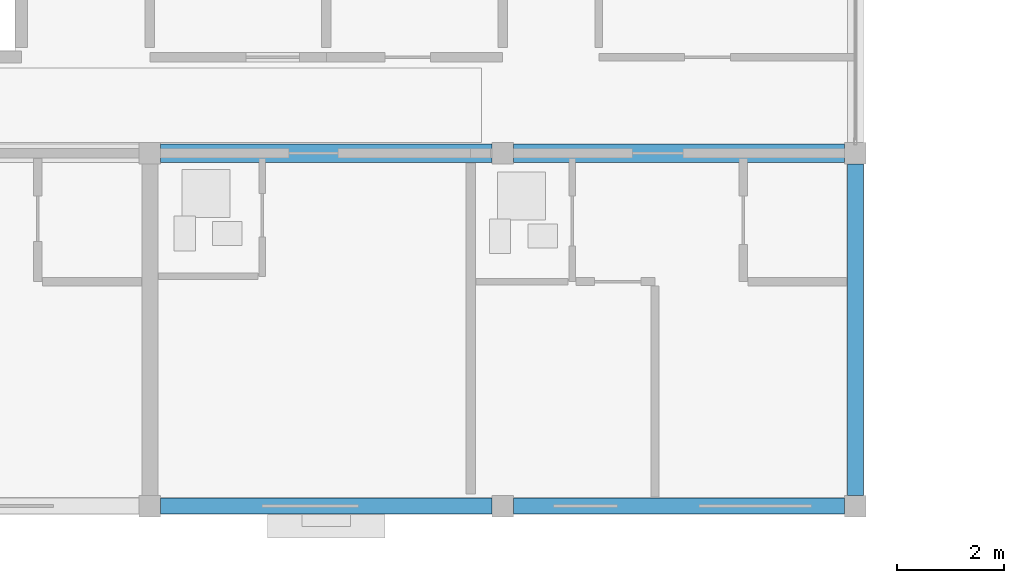
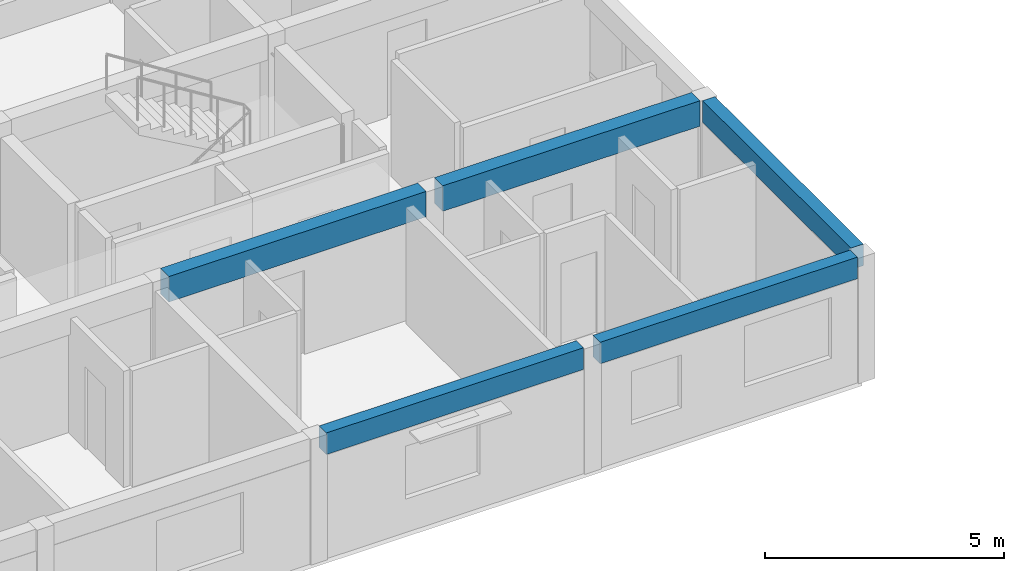
# One storey, part 7 of 53: 5 beams.
"""IFC4 building model written with IfcOpenShell, lengths in metres."""

from ifc_helpers import new_model, si_unit, direction, frame, origin, origin_2d, place, context, subcontext, project, spatial, rectangle, extrude, material, material_profile, profile_set, type_object, element, save


model = new_model("IFC4")

# Units and contexts
model_context = context("Model", 3, precision=1e-05, world=origin(), true_north=direction((0.0, 1.0)))
body_context = subcontext(model_context, "Body", "Model", "MODEL_VIEW")
ifc_project = project(units=[si_unit("LENGTHUNIT", "METRE"), si_unit("AREAUNIT", "SQUARE_METRE"), si_unit("VOLUMEUNIT", "CUBIC_METRE"), si_unit("PLANEANGLEUNIT", "RADIAN"), si_unit("MASSUNIT", "GRAM", prefix="KILO")], contexts=[model_context])

# Site, building, storey
site_placement = place(None, origin())
site = spatial("IfcSite", under=ifc_project, at=site_placement, CompositionType="ELEMENT")
building_placement = place(site_placement, origin())
building = spatial("IfcBuilding", under=site, at=building_placement, Name="Kernevlak Ridge Housing Community", CompositionType="ELEMENT")
storey_placement = place(building_placement, frame((0.0, 0.0, 18.0)))
storey = spatial("IfcBuildingStorey", under=building, at=storey_placement, Name="L05", CompositionType="ELEMENT", Elevation=18.0)

# Beams
ifc_material = material(Name="Concrete C35/45", Category="concrete")
ifc_material_profile_1 = material_profile(ifc_material, rectangle(XDim=0.35009765625, YDim=0.64990234375, at=origin_2d()), Name="RC 350x650")
ifc_profile_set_1 = profile_set([ifc_material_profile_1], Name="Concrete C35/45")
beam_type_1 = type_object("IfcBeamType", Name="B-02", PredefinedType="BEAM", material=ifc_profile_set_1)
for number, where, z_axis, x_axis, name in (
    (1, (29.0, 22.199951171875, 2.875), (1.0, 0.0, 0.0), (0.0, 1.0, 0.0), "Beam B-02 L05 1438"),
    (2, (35.60009765625, 22.199951171875, 2.875), (1.0, 0.0, 0.0), (0.0, 1.0, 0.0), "Beam B-02 L05 1439"),
):
    element("IfcBeam", number, at=place(storey_placement, frame(where, z_axis=z_axis, x_axis=x_axis)), inside=storey, type_object=beam_type_1, Name=name, PredefinedType="BEAM", context=body_context, shape_type="SweptSolid", body=[
        extrude(rectangle(XDim=0.35009765625, YDim=0.64990234375, at=origin_2d()), origin(), (0.0, 0.0, 1.0), 6.199951171875),
    ])
ifc_material_profile_2 = material_profile(ifc_material, rectangle(XDim=0.300048828125, YDim=0.550048828125, at=origin_2d()), Name="RC 300x550")
ifc_profile_set_2 = profile_set([ifc_material_profile_2], Name="Concrete C35/45")
beam_type_2 = type_object("IfcBeamType", Name="SP-01", PredefinedType="SPANDREL", material=ifc_profile_set_2)
for number, where, z_axis, x_axis, name in (
    (3, (29.0, 15.60009765625, 2.925048828125), (1.0, 0.0, 0.0), (0.0, 1.0, 0.0), "Beam SP-01 L05 1434"),
    (4, (35.60009765625, 15.60009765625, 2.925048828125), (1.0, 0.0, 0.0), (0.0, 1.0, 0.0), "Beam SP-01 L05 1435"),
    (5, (42.0, 15.800048828125, 2.925048828125), (0.0, 1.0, 0.0), (-1.0, 0.0, 0.0), "Beam SP-01 L05 1451"),
):
    element("IfcBeam", number, at=place(storey_placement, frame(where, z_axis=z_axis, x_axis=x_axis)), inside=storey, type_object=beam_type_2, Name=name, PredefinedType="SPANDREL", context=body_context, shape_type="SweptSolid", body=[
        extrude(rectangle(XDim=0.300048828125, YDim=0.550048828125, at=origin_2d()), origin(), (0.0, 0.0, 1.0), 6.199951171875),
    ])

save(model, "model.ifc")
